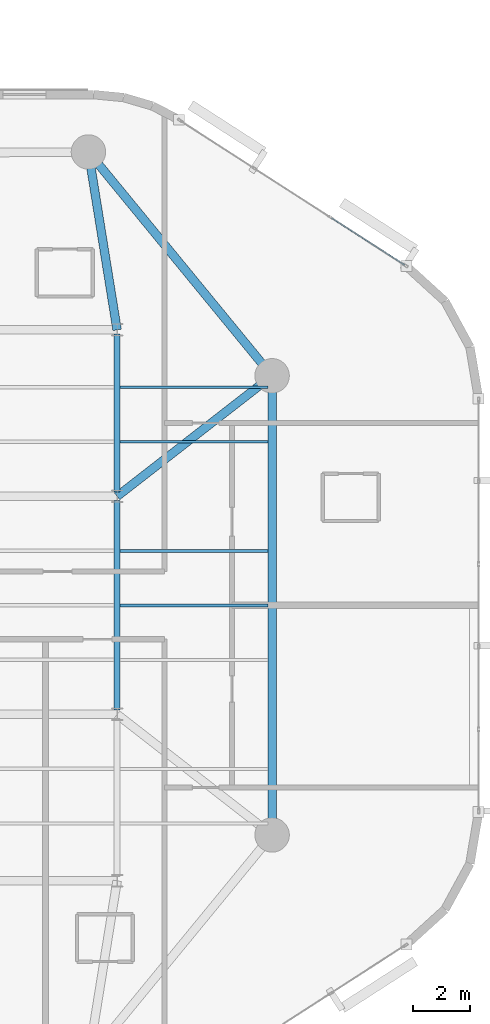
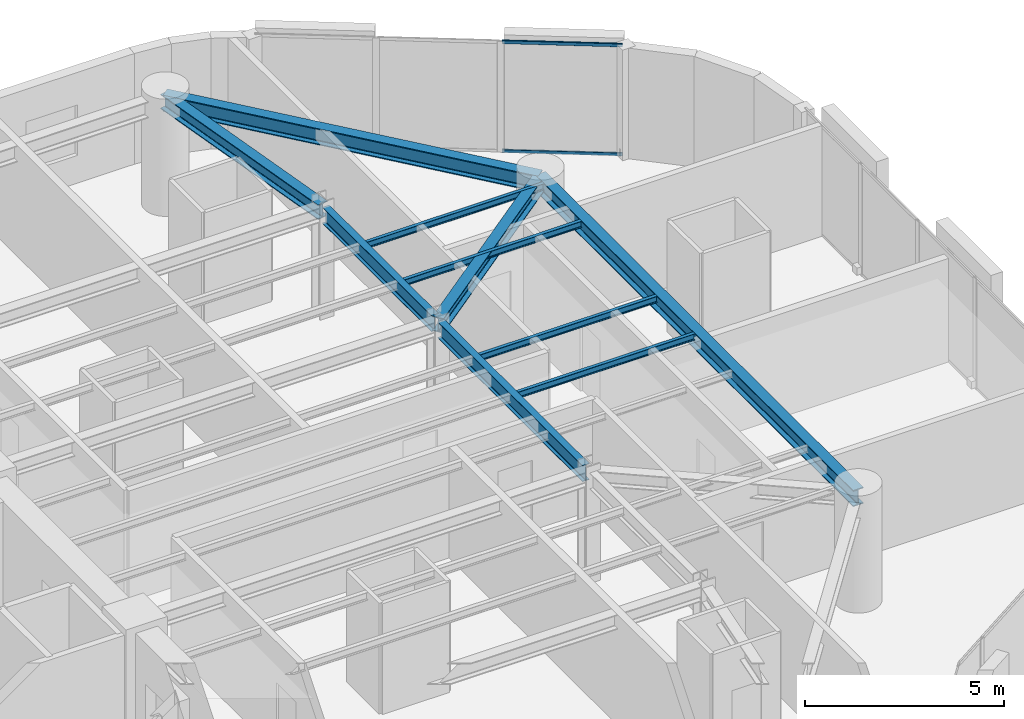
# One storey, part 4 of 15: 10 beams, 2 members, 1 element without a shape of its own.
"""IFC4 building model written with IfcOpenShell, lengths in metres."""

from ifc_helpers import new_model, si_unit, direction, frame, origin, origin_2d, place, context, subcontext, project, spatial, hollow_rectangle, i_section, extrude, material, layer, layer_set, material_profile, profile_set, type_object, element, aggregate, save


model = new_model("IFC4")

# Units and contexts
model_context = context("Model", 3, precision=1e-05, world=origin(), true_north=direction((0.0, 1.0)))
body_context = subcontext(model_context, "Body", "Model", "MODEL_VIEW")
ifc_project = project(units=[si_unit("LENGTHUNIT", "METRE"), si_unit("AREAUNIT", "SQUARE_METRE"), si_unit("VOLUMEUNIT", "CUBIC_METRE"), si_unit("PLANEANGLEUNIT", "RADIAN"), si_unit("MASSUNIT", "GRAM", prefix="KILO")], contexts=[model_context])

# Site, building, storey
site_placement = place(None, origin())
site = spatial("IfcSite", under=ifc_project, at=site_placement, CompositionType="ELEMENT")
building_placement = place(site_placement, origin())
building = spatial("IfcBuilding", under=site, at=building_placement, Name="An Khanh Terracotta Commons", CompositionType="ELEMENT")
storey_placement = place(building_placement, frame((0.0, 0.0, 147.39990234375)))
storey = spatial("IfcBuildingStorey", under=building, at=storey_placement, Name="L38", CompositionType="ELEMENT", Elevation=147.39990234375)

# Beams
ifc_material_1 = material(Name="Steel S355J2", Category="steel")
ifc_material_profile_1 = material_profile(ifc_material_1, i_section(OverallWidth=0.300048828125, OverallDepth=0.449951171875, WebThickness=0.013916015625, FlangeThickness=0.02587890625, FilletRadius=0.027099609375, at=origin_2d()), Name="HEB450")
ifc_profile_set_1 = profile_set([ifc_material_profile_1], Name="Steel S355J2")
beam_type_1 = type_object("IfcBeamType", Name="BM-HEB450", PredefinedType="BEAM", material=ifc_profile_set_1)
beam_1_placement = place(storey_placement, frame((55.800048828125, 32.0, 3.175048828125), z_axis=(-0.789363746927, -0.61392578952, 0.0), x_axis=(0.61392578952, -0.789363746927, 0.0)))
element("IfcBeam", 1, at=beam_1_placement, inside=storey, type_object=beam_type_1, Name="L38 Mega-Column Tie Girder 4", PredefinedType="BEAM", context=body_context, shape_type="SweptSolid", body=[
    extrude(i_section(OverallWidth=0.300048828125, OverallDepth=0.449951171875, WebThickness=0.013916015625, FlangeThickness=0.02587890625, FilletRadius=0.027099609375, at=origin_2d()), origin(), (0.0, 0.0, 1.0), 6.841064453125),
])
beam_2_placement = place(storey_placement, frame((49.39990234375, 39.800048828125, 3.175048828125), z_axis=(0.159233661074, -0.987240923575, 0.0), x_axis=(0.987240923575, 0.159233661074, 0.0)))
element("IfcBeam", 2, at=beam_2_placement, inside=storey, type_object=beam_type_1, Name="L38 Mega-Column Tie Girder 5", PredefinedType="BEAM", context=body_context, shape_type="SweptSolid", body=[
    extrude(i_section(OverallWidth=0.300048828125, OverallDepth=0.449951171875, WebThickness=0.013916015625, FlangeThickness=0.02587890625, FilletRadius=0.027099609375, at=origin_2d()), origin(), (0.0, 0.0, 1.0), 6.280029296875),
])
ifc_material_profile_2 = material_profile(ifc_material_1, i_section(OverallWidth=0.300048828125, OverallDepth=0.5, WebThickness=0.014404296875, FlangeThickness=0.028076171875, FilletRadius=0.027099609375, at=origin_2d()), Name="HEB500")
ifc_profile_set_2 = profile_set([ifc_material_profile_2], Name="Steel S355J2")
beam_type_2 = type_object("IfcBeamType", Name="BM-HEB500", PredefinedType="BEAM", material=ifc_profile_set_2)
beam_3_placement = place(storey_placement, frame((55.800048828125, 16.0, 3.150146484375), z_axis=(0.0, 1.0, 0.0), x_axis=(-1.0, 0.0, 0.0)))
element("IfcBeam", 3, at=beam_3_placement, inside=storey, type_object=beam_type_2, Name="L38 Perimeter Ring Spandrel 3", PredefinedType="BEAM", context=body_context, shape_type="SweptSolid", body=[
    extrude(i_section(OverallWidth=0.300048828125, OverallDepth=0.5, WebThickness=0.014404296875, FlangeThickness=0.028076171875, FilletRadius=0.027099609375, at=origin_2d()), origin(), (0.0, 0.0, 1.0), 16.0),
])
beam_4_placement = place(storey_placement, frame((55.800048828125, 32.0, 3.150146484375), z_axis=(-0.634322915223, 0.7730681983, 0.0), x_axis=(-0.7730681983, -0.634322915223, 0.0)))
element("IfcBeam", 4, at=beam_4_placement, inside=storey, type_object=beam_type_2, Name="L38 Perimeter Ring Spandrel 4", PredefinedType="BEAM", context=body_context, shape_type="SweptSolid", body=[
    extrude(i_section(OverallWidth=0.300048828125, OverallDepth=0.5, WebThickness=0.014404296875, FlangeThickness=0.028076171875, FilletRadius=0.027099609375, at=origin_2d()), origin(), (0.0, 0.0, 1.0), 10.08984375),
])
ifc_material_profile_3 = material_profile(ifc_material_1, i_section(OverallWidth=0.10009765625, OverallDepth=0.199951171875, WebThickness=0.005615234375, FlangeThickness=0.008544921875, FilletRadius=0.011962890625, at=origin_2d()), Name="IPE200")
ifc_profile_set_3 = profile_set([ifc_material_profile_3], Name="Steel S355J2")
beam_type_3 = type_object("IfcBeamType", Name="BM-IPE200", PredefinedType="JOIST", material=ifc_profile_set_3)
for number, where, z_axis, x_axis, name in (
    (5, (50.5, 24.0, 3.300048828125), (1.0, 0.0, 0.0), (0.0, 1.0, 0.0), "L38 Riverfront Composite Joist 4"),
    (6, (50.5, 25.89990234375, 3.300048828125), (1.0, 0.0, 0.0), (0.0, 1.0, 0.0), "L38 Riverfront Composite Joist 5"),
    (7, (50.5, 29.699951171875, 3.300048828125), (1.0, 0.0, 0.0), (0.0, 1.0, 0.0), "L38 Riverfront Composite Joist 6"),
    (8, (50.5, 31.60009765625, 3.300048828125), (1.0, 0.0, 0.0), (0.0, 1.0, 0.0), "L38 Riverfront Composite Joist 7"),
):
    element("IfcBeam", number, at=place(storey_placement, frame(where, z_axis=z_axis, x_axis=x_axis)), inside=storey, type_object=beam_type_3, Name=name, PredefinedType="JOIST", context=body_context, shape_type="SweptSolid", body=[
        extrude(i_section(OverallWidth=0.10009765625, OverallDepth=0.199951171875, WebThickness=0.005615234375, FlangeThickness=0.008544921875, FilletRadius=0.011962890625, at=origin_2d()), origin(), (0.0, 0.0, 1.0), 5.14990234375),
    ])
ifc_material_profile_4 = material_profile(ifc_material_1, i_section(OverallWidth=0.199951171875, OverallDepth=0.5, WebThickness=0.01025390625, FlangeThickness=0.01611328125, FilletRadius=0.02099609375, at=origin_2d()), Name="IPE500")
ifc_profile_set_4 = profile_set([ifc_material_profile_4], Name="Steel S355J2")
beam_type_4 = type_object("IfcBeamType", Name="BM-IPE500", PredefinedType="BEAM", material=ifc_profile_set_4)
beam_5_placement = place(storey_placement, frame((50.39990234375, 20.35009765625, 3.150146484375), z_axis=(0.0, 1.0, 0.0), x_axis=(-1.0, 0.0, 0.0)))
element("IfcBeam", 9, at=beam_5_placement, inside=storey, type_object=beam_type_4, Name="L38 East Spine Girder 2", PredefinedType="BEAM", context=body_context, shape_type="SweptSolid", body=[
    extrude(i_section(OverallWidth=0.199951171875, OverallDepth=0.5, WebThickness=0.01025390625, FlangeThickness=0.01611328125, FilletRadius=0.02099609375, at=origin_2d()), origin(), (0.0, 0.0, 1.0), 7.2998046875),
])
beam_6_placement = place(storey_placement, frame((50.39990234375, 27.949951171875, 3.150146484375), z_axis=(0.0, 1.0, 0.0), x_axis=(-1.0, 0.0, 0.0)))
element("IfcBeam", 10, at=beam_6_placement, inside=storey, type_object=beam_type_4, Name="L38 East Spine Girder 3", PredefinedType="BEAM", context=body_context, shape_type="SweptSolid", body=[
    extrude(i_section(OverallWidth=0.199951171875, OverallDepth=0.5, WebThickness=0.01025390625, FlangeThickness=0.01611328125, FilletRadius=0.02099609375, at=origin_2d()), origin(), (0.0, 0.0, 1.0), 5.5),
])

# Curtain wall, members
ifc_material_2 = material(Name="Anodised Aluminium 6063-T6", Category="aluminium")
ifc_layer = layer(ifc_material_2, 0.2099609375, Name="Anodised Aluminium 6063-T6")
ifc_layer_set = layer_set([ifc_layer], Name="Anodised Aluminium 6063-T6")
curtain_wall_type = type_object("IfcCurtainWallType", Name="CW-SYS-03", PredefinedType="USERDEFINED", material=ifc_layer_set)
curtain_wall_placement = place(storey_placement, origin())
curtain_wall = element("IfcCurtainWall", 11, at=curtain_wall_placement, inside=storey, type_object=curtain_wall_type, Name="L38 CW-03 Unitised Curtain Wall CW-L38-16", ObjectType="UNITISED CURTAIN WALL", PredefinedType="USERDEFINED")
ifc_material_profile_5 = material_profile(ifc_material_2, hollow_rectangle(XDim=0.050048828125, YDim=0.10009765625, WallThickness=0.003173828125, InnerFilletRadius=0.003173828125, OuterFilletRadius=0.00634765625, at=origin_2d()), Name="RHS100x50x3.2")
ifc_profile_set_5 = profile_set([ifc_material_profile_5], Name="Anodised Aluminium 6063-T6")
member_type = type_object("IfcMemberType", Name="CWT-RHS100x50x3.2", PredefinedType="USERDEFINED", material=ifc_profile_set_5)
member_1_placement = place(storey_placement, frame((60.419189453125, 35.86181640625, 0.025146484375), z_axis=(-0.840673595852, 0.541542154626, 0.0), x_axis=(-0.541542154626, -0.840673595852, 0.0)))
member_1 = element("IfcMember", 12, at=member_1_placement, type_object=member_type, Name="CW-03 transom 1.1", ObjectType="TRANSOM", PredefinedType="USERDEFINED", context=body_context, shape_type="SweptSolid", body=[
    extrude(hollow_rectangle(XDim=0.050048828125, YDim=0.10009765625, WallThickness=0.003173828125, InnerFilletRadius=0.003173828125, OuterFilletRadius=0.00634765625, at=origin_2d()), origin(), (0.0, 0.0, 1.0), 3.034423828125),
])
member_2_placement = place(storey_placement, frame((60.419189453125, 35.86181640625, 3.375), z_axis=(-0.840673595852, 0.541542154626, 0.0), x_axis=(-0.541542154626, -0.840673595852, 0.0)))
member_2 = element("IfcMember", 13, at=member_2_placement, type_object=member_type, Name="CW-03 transom 1.2", ObjectType="TRANSOM", PredefinedType="USERDEFINED", context=body_context, shape_type="SweptSolid", body=[
    extrude(hollow_rectangle(XDim=0.050048828125, YDim=0.10009765625, WallThickness=0.003173828125, InnerFilletRadius=0.003173828125, OuterFilletRadius=0.00634765625, at=origin_2d()), origin(), (0.0, 0.0, 1.0), 3.034423828125),
])
aggregate(curtain_wall, [member_1, member_2])

save(model, "model.ifc")
